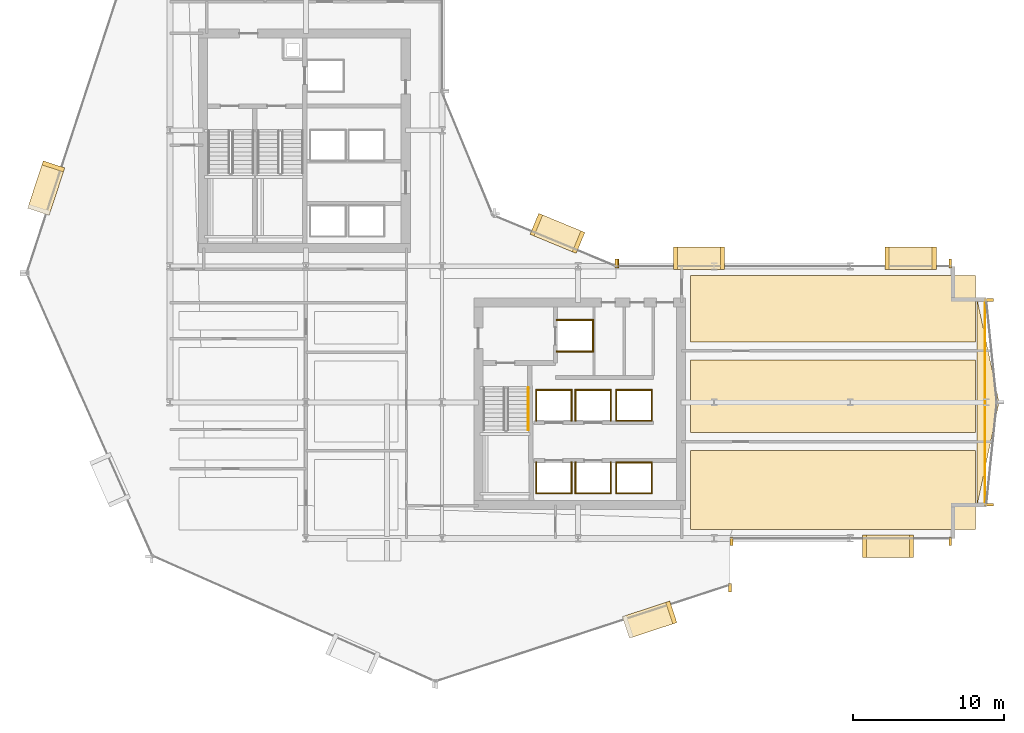
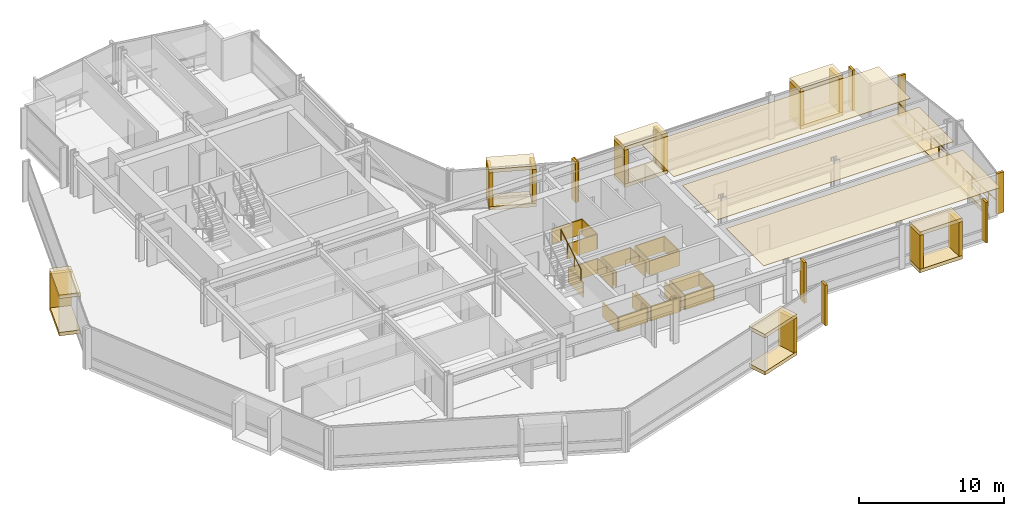
# One storey, part 32 of 34: 57 coverings, 2 railings.
"""IFC4 building model written with IfcOpenShell, lengths in metres."""

from ifc_helpers import new_model, si_unit, direction, frame, origin, origin_2d, place, context, subcontext, project, spatial, polyline, rectangle, circle, outline, extrude, material, layer, layer_set, type_object, element, save


model = new_model("IFC4")

# Units and contexts
model_context = context("Model", 3, precision=1e-05, world=origin(), true_north=direction((0.0, 1.0)))
body_context = subcontext(model_context, "Body", "Model", "MODEL_VIEW")
ifc_project = project(units=[si_unit("LENGTHUNIT", "METRE"), si_unit("AREAUNIT", "SQUARE_METRE"), si_unit("VOLUMEUNIT", "CUBIC_METRE"), si_unit("PLANEANGLEUNIT", "RADIAN"), si_unit("MASSUNIT", "GRAM", prefix="KILO")], contexts=[model_context])

# Site, building, storey
site_placement = place(None, origin())
site = spatial("IfcSite", under=ifc_project, at=site_placement, CompositionType="ELEMENT")
building_placement = place(site_placement, origin())
building = spatial("IfcBuilding", under=site, at=building_placement, Name="Solvaryn Broadcast Tower", CompositionType="ELEMENT")
storey_placement = place(building_placement, frame((0.0, 0.0, 36.0)))
storey = spatial("IfcBuildingStorey", under=building, at=storey_placement, Name="L07", CompositionType="ELEMENT", Elevation=36.0)

# Coverings
ifc_material_1 = material(Name="Micro-Perforated Acoustic Gypsum Ceiling", Category="concrete")
ifc_layer_1 = layer(ifc_material_1, 0.0400390625)
ifc_layer_set_1 = layer_set([ifc_layer_1], Name="CV-CEIL-ACOUSTIC")
covering_type_1 = type_object("IfcCoveringType", Name="CV-CEIL-ACOUSTIC", PredefinedType="CEILING", material=ifc_layer_set_1)
covering_1_placement = place(storey_placement, frame((0.0, 0.0, 3.3798828125)))
element("IfcCovering", 1, at=covering_1_placement, inside=storey, type_object=covering_type_1, Name="L07 Room Acoustic Ceiling 11", PredefinedType="CEILING", context=body_context, shape_type="SweptSolid", body=[
    extrude(outline(polyline([(43.449951171875, 9.60009765625), (62.300048828125, 9.60009765625), (62.300048828125, 14.800048828125), (43.449951171875, 14.800048828125), (43.449951171875, 9.60009765625)])), origin(), (0.0, 0.0, 1.0), 0.0400390625),
])
covering_2_placement = place(storey_placement, frame((0.0, 0.0, 3.3798828125)))
element("IfcCovering", 2, at=covering_2_placement, inside=storey, type_object=covering_type_1, Name="L07 Room Acoustic Ceiling 12", PredefinedType="CEILING", context=body_context, shape_type="SweptSolid", body=[
    extrude(outline(polyline([(43.449951171875, 16.0), (62.300048828125, 16.0), (62.300048828125, 20.800048828125), (43.449951171875, 20.800048828125), (43.449951171875, 16.0)])), origin(), (0.0, 0.0, 1.0), 0.0400390625),
])
covering_3_placement = place(storey_placement, frame((0.0, 0.0, 3.3798828125)))
element("IfcCovering", 3, at=covering_3_placement, inside=storey, type_object=covering_type_1, Name="L07 Room Acoustic Ceiling 13", PredefinedType="CEILING", context=body_context, shape_type="SweptSolid", body=[
    extrude(outline(polyline([(43.449951171875, 22.0), (62.300048828125, 22.0), (62.300048828125, 26.39990234375), (43.449951171875, 26.39990234375), (43.449951171875, 22.0)])), origin(), (0.0, 0.0, 1.0), 0.0400390625),
])
ifc_material_2 = material(Name="Fire-Rated Gypsum Shaftwall Liner", Category="concrete")
ifc_layer_2 = layer(ifc_material_2, 0.080078125)
ifc_layer_set_2 = layer_set([ifc_layer_2], Name="CV-SHAFT-LINER")
covering_type_2 = type_object("IfcCoveringType", Name="CV-SHAFT-LINER", PredefinedType="CLADDING", material=ifc_layer_set_2)
for number, where, z_axis, x_axis, name in (
    (4, (35.800048828125, 23.43994140625, 0.0), (0.0, 0.0, 1.0), (1.0, 0.0, 0.0), "L07 FL2 Hoistway Shaft Liner North"),
    (5, (35.800048828125, 21.360107421875, 0.0), (0.0, 0.0, 1.0), (1.0, 0.0, 0.0), "L07 FL2 Hoistway Shaft Liner South"),
):
    element("IfcCovering", number, at=place(storey_placement, frame(where, z_axis=z_axis, x_axis=x_axis)), inside=storey, type_object=covering_type_2, Name=name, PredefinedType="CLADDING", context=body_context, shape_type="SweptSolid", body=[
        extrude(rectangle(XDim=2.4599609375, YDim=0.080078125, at=origin_2d()), origin(), (0.0, 0.0, 1.0), 1.25),
    ])
covering_4_placement = place(storey_placement, frame((36.989990234375, 22.39990234375, 0.0), z_axis=(0.0, 0.0, 1.0), x_axis=(1.0, 0.0, 0.0)))
element("IfcCovering", 6, at=covering_4_placement, inside=storey, type_object=covering_type_2, Name="L07 FL2 Hoistway Shaft Liner East", PredefinedType="CLADDING", context=body_context, shape_type="SweptSolid", body=[
    extrude(rectangle(XDim=0.080078125, YDim=2.159912109375, at=origin_2d()), origin(), (0.0, 0.0, 1.0), 1.25),
])
covering_5_placement = place(storey_placement, frame((34.39990234375, 11.985107421875, 0.0), z_axis=(0.0, 0.0, 1.0), x_axis=(1.0, 0.0, 0.0)))
element("IfcCovering", 7, at=covering_5_placement, inside=storey, type_object=covering_type_2, Name="L07 PL1 Hoistway Shaft Liner South", PredefinedType="CLADDING", context=body_context, shape_type="SweptSolid", body=[
    extrude(rectangle(XDim=2.409912109375, YDim=0.080078125, at=origin_2d()), origin(), (0.0, 0.0, 1.0), 1.25),
])
for number, where, z_axis, x_axis, name in (
    (8, (35.56494140625, 13.0, 0.0), (0.0, 0.0, 1.0), (1.0, 0.0, 0.0), "L07 PL1 Hoistway Shaft Liner East"),
    (9, (33.235107421875, 13.0, 0.0), (0.0, 0.0, 1.0), (1.0, 0.0, 0.0), "L07 PL1 Hoistway Shaft Liner West"),
):
    element("IfcCovering", number, at=place(storey_placement, frame(where, z_axis=z_axis, x_axis=x_axis)), inside=storey, type_object=covering_type_2, Name=name, PredefinedType="CLADDING", context=body_context, shape_type="SweptSolid", body=[
        extrude(rectangle(XDim=0.080078125, YDim=2.110107421875, at=origin_2d()), origin(), (0.0, 0.0, 1.0), 1.25),
    ])
covering_6_placement = place(storey_placement, frame((37.0, 11.985107421875, 0.0), z_axis=(0.0, 0.0, 1.0), x_axis=(1.0, 0.0, 0.0)))
element("IfcCovering", 10, at=covering_6_placement, inside=storey, type_object=covering_type_2, Name="L07 PL2 Hoistway Shaft Liner South", PredefinedType="CLADDING", context=body_context, shape_type="SweptSolid", body=[
    extrude(rectangle(XDim=2.409912109375, YDim=0.080078125, at=origin_2d()), origin(), (0.0, 0.0, 1.0), 1.25),
])
for number, where, z_axis, x_axis, name in (
    (11, (38.1650390625, 13.0, 0.0), (0.0, 0.0, 1.0), (1.0, 0.0, 0.0), "L07 PL2 Hoistway Shaft Liner East"),
    (12, (35.8349609375, 13.0, 0.0), (0.0, 0.0, 1.0), (1.0, 0.0, 0.0), "L07 PL2 Hoistway Shaft Liner West"),
):
    element("IfcCovering", number, at=place(storey_placement, frame(where, z_axis=z_axis, x_axis=x_axis)), inside=storey, type_object=covering_type_2, Name=name, PredefinedType="CLADDING", context=body_context, shape_type="SweptSolid", body=[
        extrude(rectangle(XDim=0.080078125, YDim=2.110107421875, at=origin_2d()), origin(), (0.0, 0.0, 1.0), 1.25),
    ])
covering_7_placement = place(storey_placement, frame((34.39990234375, 18.81494140625, 0.0), z_axis=(0.0, 0.0, 1.0), x_axis=(1.0, 0.0, 0.0)))
element("IfcCovering", 13, at=covering_7_placement, inside=storey, type_object=covering_type_2, Name="L07 PL3 Hoistway Shaft Liner North", PredefinedType="CLADDING", context=body_context, shape_type="SweptSolid", body=[
    extrude(rectangle(XDim=2.409912109375, YDim=0.080078125, at=origin_2d()), origin(), (0.0, 0.0, 1.0), 1.25),
])
for number, where, z_axis, x_axis, name in (
    (14, (35.56494140625, 17.800048828125, 0.0), (0.0, 0.0, 1.0), (1.0, 0.0, 0.0), "L07 PL3 Hoistway Shaft Liner East"),
    (15, (33.235107421875, 17.800048828125, 0.0), (0.0, 0.0, 1.0), (1.0, 0.0, 0.0), "L07 PL3 Hoistway Shaft Liner West"),
):
    element("IfcCovering", number, at=place(storey_placement, frame(where, z_axis=z_axis, x_axis=x_axis)), inside=storey, type_object=covering_type_2, Name=name, PredefinedType="CLADDING", context=body_context, shape_type="SweptSolid", body=[
        extrude(rectangle(XDim=0.080078125, YDim=2.110107421875, at=origin_2d()), origin(), (0.0, 0.0, 1.0), 1.25),
    ])
covering_8_placement = place(storey_placement, frame((37.0, 18.81494140625, 0.0), z_axis=(0.0, 0.0, 1.0), x_axis=(1.0, 0.0, 0.0)))
element("IfcCovering", 16, at=covering_8_placement, inside=storey, type_object=covering_type_2, Name="L07 PL4 Hoistway Shaft Liner North", PredefinedType="CLADDING", context=body_context, shape_type="SweptSolid", body=[
    extrude(rectangle(XDim=2.409912109375, YDim=0.080078125, at=origin_2d()), origin(), (0.0, 0.0, 1.0), 1.25),
])
for number, where, z_axis, x_axis, name in (
    (17, (38.1650390625, 17.800048828125, 0.0), (0.0, 0.0, 1.0), (1.0, 0.0, 0.0), "L07 PL4 Hoistway Shaft Liner East"),
    (18, (35.8349609375, 17.800048828125, 0.0), (0.0, 0.0, 1.0), (1.0, 0.0, 0.0), "L07 PL4 Hoistway Shaft Liner West"),
):
    element("IfcCovering", number, at=place(storey_placement, frame(where, z_axis=z_axis, x_axis=x_axis)), inside=storey, type_object=covering_type_2, Name=name, PredefinedType="CLADDING", context=body_context, shape_type="SweptSolid", body=[
        extrude(rectangle(XDim=0.080078125, YDim=2.110107421875, at=origin_2d()), origin(), (0.0, 0.0, 1.0), 1.25),
    ])
for number, where, z_axis, x_axis, name in (
    (19, (39.699951171875, 14.014892578125, 0.0), (0.0, 0.0, 1.0), (1.0, 0.0, 0.0), "L07 PM1 Hoistway Shaft Liner North"),
    (20, (39.699951171875, 11.985107421875, 0.0), (0.0, 0.0, 1.0), (1.0, 0.0, 0.0), "L07 PM1 Hoistway Shaft Liner South"),
):
    element("IfcCovering", number, at=place(storey_placement, frame(where, z_axis=z_axis, x_axis=x_axis)), inside=storey, type_object=covering_type_2, Name=name, PredefinedType="CLADDING", context=body_context, shape_type="SweptSolid", body=[
        extrude(rectangle(XDim=2.409912109375, YDim=0.080078125, at=origin_2d()), origin(), (0.0, 0.0, 1.0), 1.25),
    ])
for number, where, z_axis, x_axis, name in (
    (21, (40.864990234375, 13.0, 0.0), (0.0, 0.0, 1.0), (1.0, 0.0, 0.0), "L07 PM1 Hoistway Shaft Liner East"),
    (22, (38.534912109375, 13.0, 0.0), (0.0, 0.0, 1.0), (1.0, 0.0, 0.0), "L07 PM1 Hoistway Shaft Liner West"),
):
    element("IfcCovering", number, at=place(storey_placement, frame(where, z_axis=z_axis, x_axis=x_axis)), inside=storey, type_object=covering_type_2, Name=name, PredefinedType="CLADDING", context=body_context, shape_type="SweptSolid", body=[
        extrude(rectangle(XDim=0.080078125, YDim=2.110107421875, at=origin_2d()), origin(), (0.0, 0.0, 1.0), 1.25),
    ])
for number, where, z_axis, x_axis, name in (
    (23, (39.699951171875, 18.81494140625, 0.0), (0.0, 0.0, 1.0), (1.0, 0.0, 0.0), "L07 PM2 Hoistway Shaft Liner North"),
    (24, (39.699951171875, 16.784912109375, 0.0), (0.0, 0.0, 1.0), (1.0, 0.0, 0.0), "L07 PM2 Hoistway Shaft Liner South"),
):
    element("IfcCovering", number, at=place(storey_placement, frame(where, z_axis=z_axis, x_axis=x_axis)), inside=storey, type_object=covering_type_2, Name=name, PredefinedType="CLADDING", context=body_context, shape_type="SweptSolid", body=[
        extrude(rectangle(XDim=2.409912109375, YDim=0.080078125, at=origin_2d()), origin(), (0.0, 0.0, 1.0), 1.25),
    ])
for number, where, z_axis, x_axis, name in (
    (25, (40.864990234375, 17.800048828125, 0.0), (0.0, 0.0, 1.0), (1.0, 0.0, 0.0), "L07 PM2 Hoistway Shaft Liner East"),
    (26, (38.534912109375, 17.800048828125, 0.0), (0.0, 0.0, 1.0), (1.0, 0.0, 0.0), "L07 PM2 Hoistway Shaft Liner West"),
):
    element("IfcCovering", number, at=place(storey_placement, frame(where, z_axis=z_axis, x_axis=x_axis)), inside=storey, type_object=covering_type_2, Name=name, PredefinedType="CLADDING", context=body_context, shape_type="SweptSolid", body=[
        extrude(rectangle(XDim=0.080078125, YDim=2.110107421875, at=origin_2d()), origin(), (0.0, 0.0, 1.0), 1.25),
    ])
ifc_material_3 = material(Name="Glazed Architectural Terracotta Rainscreen Cladding", Category="masonry")
ifc_layer_3 = layer(ifc_material_3, 0.280029296875)
ifc_layer_set_3 = layer_set([ifc_layer_3], Name="CV-TC-CLAD")
covering_type_3 = type_object("IfcCoveringType", Name="CV-TC-CLAD", PredefinedType="CLADDING", material=ifc_layer_set_3)
for number, where, z_axis, x_axis, name in (
    (27, (0.819091796875, 32.173095703125, 3.1298828125), (0.0, 0.0, 1.0), (-0.311671636848, -0.950189870912, 0.0), "L07 Projecting Stone Window Box Hood 1"),
    (28, (0.819091796875, 32.173095703125, -0.01025390625), (0.0, 0.0, 1.0), (-0.311671636848, -0.950189870912, 0.0), "L07 Projecting Stone Window Box Sill 1"),
):
    element("IfcCovering", number, at=place(storey_placement, frame(where, z_axis=z_axis, x_axis=x_axis)), inside=storey, type_object=covering_type_3, Name=name, PredefinedType="CLADDING", context=body_context, shape_type="SweptSolid", body=[
        extrude(rectangle(XDim=3.300048828125, YDim=1.5, at=origin_2d()), origin(), (0.0, 0.0, 1.0), 0.300048828125),
    ])
covering_9_placement = place(storey_placement, frame((1.28955078125, 33.60791015625, 0.27978515625), z_axis=(0.0, 0.0, 1.0), x_axis=(-0.311671636848, -0.950189870912, 0.0)))
element("IfcCovering", 29, at=covering_9_placement, inside=storey, type_object=covering_type_3, Name="L07 Projecting Stone Window Box Cheek 1-1", PredefinedType="CLADDING", context=body_context, shape_type="SweptSolid", body=[
    extrude(rectangle(XDim=0.280029296875, YDim=1.5, at=origin_2d()), origin(), (0.0, 0.0, 1.0), 2.860107421875),
])
for number, where, z_axis, x_axis, name in (
    (30, (40.73291015625, 3.6259765625, 3.1298828125), (0.0, 0.0, 1.0), (0.950189870912, 0.311671636848, 0.0), "L07 Projecting Stone Window Box Hood 4"),
    (31, (40.73291015625, 3.6259765625, -0.01025390625), (0.0, 0.0, 1.0), (0.950189870912, 0.311671636848, 0.0), "L07 Projecting Stone Window Box Sill 4"),
):
    element("IfcCovering", number, at=place(storey_placement, frame(where, z_axis=z_axis, x_axis=x_axis)), inside=storey, type_object=covering_type_3, Name=name, PredefinedType="CLADDING", context=body_context, shape_type="SweptSolid", body=[
        extrude(rectangle(XDim=3.300048828125, YDim=1.5, at=origin_2d()), origin(), (0.0, 0.0, 1.0), 0.300048828125),
    ])
covering_10_placement = place(storey_placement, frame((42.167724609375, 4.0966796875, 0.27978515625), z_axis=(0.0, 0.0, 1.0), x_axis=(0.950189870912, 0.311671636848, 0.0)))
element("IfcCovering", 32, at=covering_10_placement, inside=storey, type_object=covering_type_3, Name="L07 Projecting Stone Window Box Cheek 4-2", PredefinedType="CLADDING", context=body_context, shape_type="SweptSolid", body=[
    extrude(rectangle(XDim=0.280029296875, YDim=1.5, at=origin_2d()), origin(), (0.0, 0.0, 1.0), 2.860107421875),
])
for number, where, z_axis, x_axis, name in (
    (33, (34.636962890625, 29.174072265625, 3.1298828125), (0.0, 0.0, 1.0), (-0.923879532511, 0.382683432365, 0.0), "L07 Projecting Stone Window Box Hood 5"),
    (34, (34.636962890625, 29.174072265625, -0.01025390625), (0.0, 0.0, 1.0), (-0.923879532511, 0.382683432365, 0.0), "L07 Projecting Stone Window Box Sill 5"),
):
    element("IfcCovering", number, at=place(storey_placement, frame(where, z_axis=z_axis, x_axis=x_axis)), inside=storey, type_object=covering_type_3, Name=name, PredefinedType="CLADDING", context=body_context, shape_type="SweptSolid", body=[
        extrude(rectangle(XDim=3.300048828125, YDim=1.5, at=origin_2d()), origin(), (0.0, 0.0, 1.0), 0.300048828125),
    ])
for number, where, z_axis, x_axis, name in (
    (35, (36.031982421875, 28.59619140625, 0.27978515625), (0.0, 0.0, 1.0), (-0.923879532511, 0.382683432365, 0.0), "L07 Projecting Stone Window Box Cheek 5-1"),
    (36, (33.241943359375, 29.751953125, 0.27978515625), (0.0, 0.0, 1.0), (-0.923879532511, 0.382683432365, 0.0), "L07 Projecting Stone Window Box Cheek 5-2"),
):
    element("IfcCovering", number, at=place(storey_placement, frame(where, z_axis=z_axis, x_axis=x_axis)), inside=storey, type_object=covering_type_3, Name=name, PredefinedType="CLADDING", context=body_context, shape_type="SweptSolid", body=[
        extrude(rectangle(XDim=0.280029296875, YDim=1.5, at=origin_2d()), origin(), (0.0, 0.0, 1.0), 2.860107421875),
    ])
for number, where, z_axis, x_axis, name in (
    (37, (56.5, 8.469970703125, 3.1298828125), (0.0, 0.0, 1.0), (1.0, 0.0, 0.0), "L07 Projecting Stone Window Box Hood 6"),
    (38, (56.5, 8.469970703125, -0.01025390625), (0.0, 0.0, 1.0), (1.0, 0.0, 0.0), "L07 Projecting Stone Window Box Sill 6"),
):
    element("IfcCovering", number, at=place(storey_placement, frame(where, z_axis=z_axis, x_axis=x_axis)), inside=storey, type_object=covering_type_3, Name=name, PredefinedType="CLADDING", context=body_context, shape_type="SweptSolid", body=[
        extrude(rectangle(XDim=3.39990234375, YDim=1.5, at=origin_2d()), origin(), (0.0, 0.0, 1.0), 0.300048828125),
    ])
for number, where, z_axis, x_axis, name in (
    (39, (54.93994140625, 8.469970703125, 0.27978515625), (0.0, 0.0, 1.0), (1.0, 0.0, 0.0), "L07 Projecting Stone Window Box Cheek 6-1"),
    (40, (58.06005859375, 8.469970703125, 0.27978515625), (0.0, 0.0, 1.0), (1.0, 0.0, 0.0), "L07 Projecting Stone Window Box Cheek 6-2"),
):
    element("IfcCovering", number, at=place(storey_placement, frame(where, z_axis=z_axis, x_axis=x_axis)), inside=storey, type_object=covering_type_3, Name=name, PredefinedType="CLADDING", context=body_context, shape_type="SweptSolid", body=[
        extrude(rectangle(XDim=0.280029296875, YDim=1.5, at=origin_2d()), origin(), (0.0, 0.0, 1.0), 2.860107421875),
    ])
for number, where, z_axis, x_axis, name in (
    (41, (44.0, 27.530029296875, 3.1298828125), (0.0, 0.0, 1.0), (1.0, 0.0, 0.0), "L07 Projecting Stone Window Box Hood 7"),
    (42, (44.0, 27.530029296875, -0.01025390625), (0.0, 0.0, 1.0), (1.0, 0.0, 0.0), "L07 Projecting Stone Window Box Sill 7"),
):
    element("IfcCovering", number, at=place(storey_placement, frame(where, z_axis=z_axis, x_axis=x_axis)), inside=storey, type_object=covering_type_3, Name=name, PredefinedType="CLADDING", context=body_context, shape_type="SweptSolid", body=[
        extrude(rectangle(XDim=3.39990234375, YDim=1.5, at=origin_2d()), origin(), (0.0, 0.0, 1.0), 0.300048828125),
    ])
for number, where, z_axis, x_axis, name in (
    (43, (42.43994140625, 27.530029296875, 0.27978515625), (0.0, 0.0, 1.0), (1.0, 0.0, 0.0), "L07 Projecting Stone Window Box Cheek 7-1"),
    (44, (45.56005859375, 27.530029296875, 0.27978515625), (0.0, 0.0, 1.0), (1.0, 0.0, 0.0), "L07 Projecting Stone Window Box Cheek 7-2"),
):
    element("IfcCovering", number, at=place(storey_placement, frame(where, z_axis=z_axis, x_axis=x_axis)), inside=storey, type_object=covering_type_3, Name=name, PredefinedType="CLADDING", context=body_context, shape_type="SweptSolid", body=[
        extrude(rectangle(XDim=0.280029296875, YDim=1.5, at=origin_2d()), origin(), (0.0, 0.0, 1.0), 2.860107421875),
    ])
for number, where, z_axis, x_axis, name in (
    (45, (58.0, 27.530029296875, 3.1298828125), (0.0, 0.0, 1.0), (1.0, 0.0, 0.0), "L07 Projecting Stone Window Box Hood 8"),
    (46, (58.0, 27.530029296875, -0.01025390625), (0.0, 0.0, 1.0), (1.0, 0.0, 0.0), "L07 Projecting Stone Window Box Sill 8"),
):
    element("IfcCovering", number, at=place(storey_placement, frame(where, z_axis=z_axis, x_axis=x_axis)), inside=storey, type_object=covering_type_3, Name=name, PredefinedType="CLADDING", context=body_context, shape_type="SweptSolid", body=[
        extrude(rectangle(XDim=3.39990234375, YDim=1.5, at=origin_2d()), origin(), (0.0, 0.0, 1.0), 0.300048828125),
    ])
for number, where, z_axis, x_axis, name in (
    (47, (56.43994140625, 27.530029296875, 0.27978515625), (0.0, 0.0, 1.0), (1.0, 0.0, 0.0), "L07 Projecting Stone Window Box Cheek 8-1"),
    (48, (59.56005859375, 27.530029296875, 0.27978515625), (0.0, 0.0, 1.0), (1.0, 0.0, 0.0), "L07 Projecting Stone Window Box Cheek 8-2"),
):
    element("IfcCovering", number, at=place(storey_placement, frame(where, z_axis=z_axis, x_axis=x_axis)), inside=storey, type_object=covering_type_3, Name=name, PredefinedType="CLADDING", context=body_context, shape_type="SweptSolid", body=[
        extrude(rectangle(XDim=0.280029296875, YDim=1.5, at=origin_2d()), origin(), (0.0, 0.0, 1.0), 2.860107421875),
    ])
ifc_material_4 = material(Name="Extruded Architectural Terracotta Fin", Category="masonry")
ifc_layer_4 = layer(ifc_material_4, 0.179931640625)
ifc_layer_set_4 = layer_set([ifc_layer_4], Name="CV-TC-FIN")
covering_type_4 = type_object("IfcCoveringType", Name="CV-TC-FIN", PredefinedType="USERDEFINED", material=ifc_layer_set_4)
for number, where, z_axis, x_axis, name in (
    (49, (46.043701171875, 5.735595703125, 0.0), (0.0, 0.0, 1.0), (1.0, 0.0, 0.0), "L07 Terracotta Vertical Fin FIN-L07-DR4-M01"),
    (50, (38.541259765625, 27.177978515625, 0.0), (0.0, 0.0, 1.0), (1.0, 0.0, 0.0), "L07 Terracotta Vertical Fin FIN-L07-CN1-M00"),
    (51, (46.14599609375, 8.8125, 0.0), (0.0, 0.0, 1.0), (1.0, 0.0, 0.0), "L07 Terracotta Vertical Fin FIN-L07-S2-M00"),
    (52, (60.6201171875, 8.8125, 0.0), (0.0, 0.0, 1.0), (1.0, 0.0, 0.0), "L07 Terracotta Vertical Fin FIN-L07-S2-M01"),
):
    element("IfcCovering", number, at=place(storey_placement, frame(where, z_axis=z_axis, x_axis=x_axis)), inside=storey, type_object=covering_type_4, Name=name, ObjectType="FIN", PredefinedType="USERDEFINED", context=body_context, shape_type="SweptSolid", body=[
        extrude(rectangle(XDim=0.179931640625, YDim=0.580078125, at=origin_2d()), origin(), (0.0, 0.0, 1.0), 3.419921875),
    ])
for number, where, z_axis, x_axis, name in (
    (53, (63.190673828125, 24.770263671875, 0.0), (0.0, 0.0, 1.0), (1.0, 0.0, 0.0), "L07 Terracotta Vertical Fin FIN-L07-ET1-M00"),
    (54, (63.190673828125, 11.229736328125, 0.0), (0.0, 0.0, 1.0), (1.0, 0.0, 0.0), "L07 Terracotta Vertical Fin FIN-L07-ET2-M01"),
):
    element("IfcCovering", number, at=place(storey_placement, frame(where, z_axis=z_axis, x_axis=x_axis)), inside=storey, type_object=covering_type_4, Name=name, ObjectType="FIN", PredefinedType="USERDEFINED", context=body_context, shape_type="SweptSolid", body=[
        extrude(rectangle(XDim=0.580078125, YDim=0.179931640625, at=origin_2d()), origin(), (0.0, 0.0, 1.0), 3.419921875),
    ])
for number, where, z_axis, x_axis, name in (
    (55, (38.6298828125, 27.1875, 0.0), (0.0, 0.0, 1.0), (1.0, 0.0, 0.0), "L07 Terracotta Vertical Fin FIN-L07-IH-M00"),
    (56, (60.6201171875, 27.1875, 0.0), (0.0, 0.0, 1.0), (1.0, 0.0, 0.0), "L07 Terracotta Vertical Fin FIN-L07-IH-M01"),
):
    element("IfcCovering", number, at=place(storey_placement, frame(where, z_axis=z_axis, x_axis=x_axis)), inside=storey, type_object=covering_type_4, Name=name, ObjectType="FIN", PredefinedType="USERDEFINED", context=body_context, shape_type="SweptSolid", body=[
        extrude(rectangle(XDim=0.179931640625, YDim=0.580078125, at=origin_2d()), origin(), (0.0, 0.0, 1.0), 3.419921875),
    ])
ifc_material_5 = material(Name="Sculpted Architectural Terracotta Wave Fascia", Category="masonry")
ifc_layer_5 = layer(ifc_material_5, 0.340087890625)
ifc_layer_set_5 = layer_set([ifc_layer_5], Name="CV-WAVE-TRAY")
covering_type_5 = type_object("IfcCoveringType", Name="CV-WAVE-TRAY", PredefinedType="CLADDING", material=ifc_layer_set_5)
covering_11_placement = place(storey_placement, frame((0.0, 0.0, -0.300048828125)))
element("IfcCovering", 57, at=covering_11_placement, inside=storey, type_object=covering_type_5, Name="L07 East Curved Wing Deck", PredefinedType="CLADDING", context=body_context, shape_type="SweptSolid", body=[
    extrude(outline(polyline([(62.39990234375, 11.199951171875), (63.85009765625, 18.0), (62.39990234375, 24.800048828125), (62.39990234375, 11.199951171875)])), origin(), (0.0, 0.0, 1.0), 0.330078125),
])

# Railings
ifc_material_6 = material(Name="Brushed Stainless Steel Tubular Handrail", Category="steel")
railing_type_1 = type_object("IfcRailingType", Name="RL-STAIR-HANDRAIL", PredefinedType="HANDRAIL", material=ifc_material_6)
railing_1_placement = place(storey_placement, frame((32.699951171875, 16.159912109375, 2.01806640625)))
element("IfcRailing", 58, at=railing_1_placement, inside=storey, type_object=railing_type_1, Name="L07 ST3 stair handrail 2", PredefinedType="HANDRAIL", context=body_context, shape_type="SweptSolid", body=[
    extrude(circle(Radius=0.02392578125, at=origin_2d()), frame((0.0, 0.0, 0.8759765625), z_axis=(0.0, 0.857242210791, 0.514913383045), x_axis=(-1.0, 0.0, 0.0)), (0.0, 0.0, 1.0), 3.266357421875),
    extrude(circle(Radius=0.02099609375, at=origin_2d()), origin(), (0.0, 0.0, 1.0), 0.851806640625),
    extrude(circle(Radius=0.02099609375, at=origin_2d()), frame((0.0, 0.933349609375, 0.560546875)), (0.0, 0.0, 1.0), 0.851806640625),
    extrude(circle(Radius=0.02099609375, at=origin_2d()), frame((0.0, 1.86669921875, 1.121337890625)), (0.0, 0.0, 1.0), 0.851806640625),
    extrude(circle(Radius=0.02099609375, at=origin_2d()), frame((0.0, 2.800048828125, 1.681884765625)), (0.0, 0.0, 1.0), 0.851806640625),
])
ifc_material_7 = material(Name="Stainless Steel and Laminated Glass Guard", Category="steel")
railing_type_2 = type_object("IfcRailingType", Name="RL-TER-1150", PredefinedType="BALUSTRADE", material=ifc_material_7)
railing_2_placement = place(storey_placement, frame((62.919921875, 11.199951171875, 0.0)))
element("IfcRailing", 59, at=railing_2_placement, inside=storey, type_object=railing_type_2, Name="L07 East Wing Spandrel Edge Guard", PredefinedType="BALUSTRADE", context=body_context, shape_type="SweptSolid", body=[
    extrude(circle(Radius=0.02392578125, at=origin_2d()), frame((0.0, 0.0, 1.1259765625), z_axis=(0.0, 1.0, 0.0), x_axis=(-1.0, 0.0, 0.0)), (0.0, 0.0, 1.0), 13.60009765625),
    extrude(circle(Radius=0.02099609375, at=origin_2d()), origin(), (0.0, 0.0, 1.0), 1.101806640625),
    extrude(circle(Radius=0.02099609375, at=origin_2d()), frame((0.0, 1.13330078125, 0.0)), (0.0, 0.0, 1.0), 1.101806640625),
    extrude(circle(Radius=0.02099609375, at=origin_2d()), frame((0.0, 2.2666015625, 0.0)), (0.0, 0.0, 1.0), 1.101806640625),
    extrude(circle(Radius=0.02099609375, at=origin_2d()), frame((0.0, 3.39990234375, 0.0)), (0.0, 0.0, 1.0), 1.101806640625),
    extrude(circle(Radius=0.02099609375, at=origin_2d()), frame((0.0, 4.533447265625, 0.0)), (0.0, 0.0, 1.0), 1.101806640625),
    extrude(circle(Radius=0.02099609375, at=origin_2d()), frame((0.0, 5.666748046875, 0.0)), (0.0, 0.0, 1.0), 1.101806640625),
    extrude(circle(Radius=0.02099609375, at=origin_2d()), frame((0.0, 6.800048828125, 0.0)), (0.0, 0.0, 1.0), 1.101806640625),
    extrude(circle(Radius=0.02099609375, at=origin_2d()), frame((0.0, 7.933349609375, 0.0)), (0.0, 0.0, 1.0), 1.101806640625),
    extrude(circle(Radius=0.02099609375, at=origin_2d()), frame((0.0, 9.066650390625, 0.0)), (0.0, 0.0, 1.0), 1.101806640625),
    extrude(circle(Radius=0.02099609375, at=origin_2d()), frame((0.0, 10.2001953125, 0.0)), (0.0, 0.0, 1.0), 1.101806640625),
    extrude(circle(Radius=0.02099609375, at=origin_2d()), frame((0.0, 11.33349609375, 0.0)), (0.0, 0.0, 1.0), 1.101806640625),
    extrude(circle(Radius=0.02099609375, at=origin_2d()), frame((0.0, 12.466796875, 0.0)), (0.0, 0.0, 1.0), 1.101806640625),
    extrude(circle(Radius=0.02099609375, at=origin_2d()), frame((0.0, 13.60009765625, 0.0)), (0.0, 0.0, 1.0), 1.101806640625),
])

save(model, "model.ifc")
